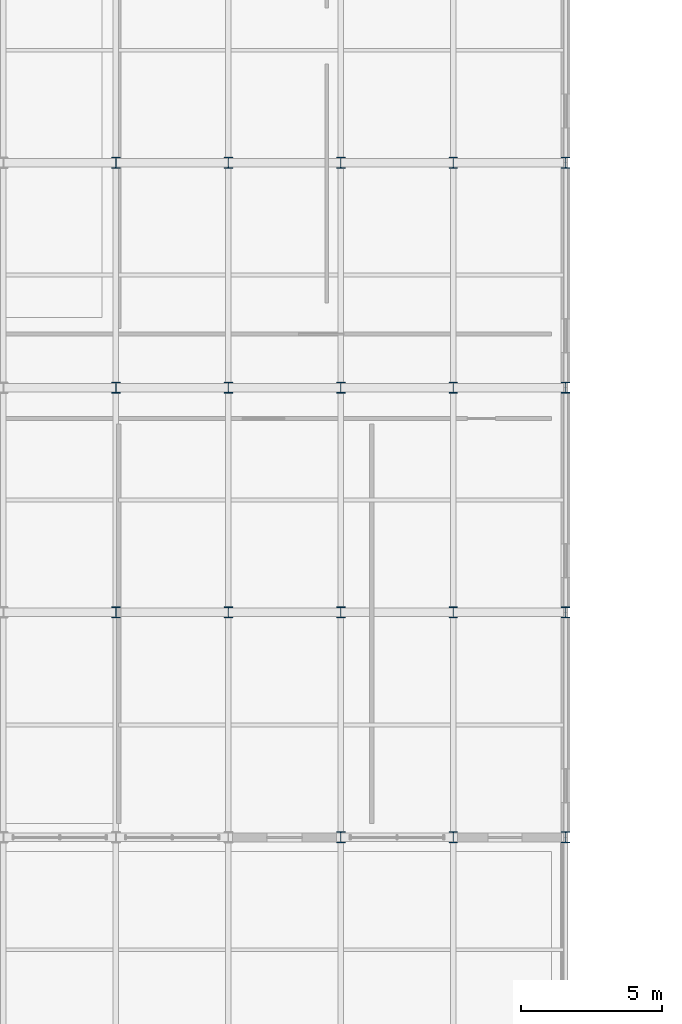
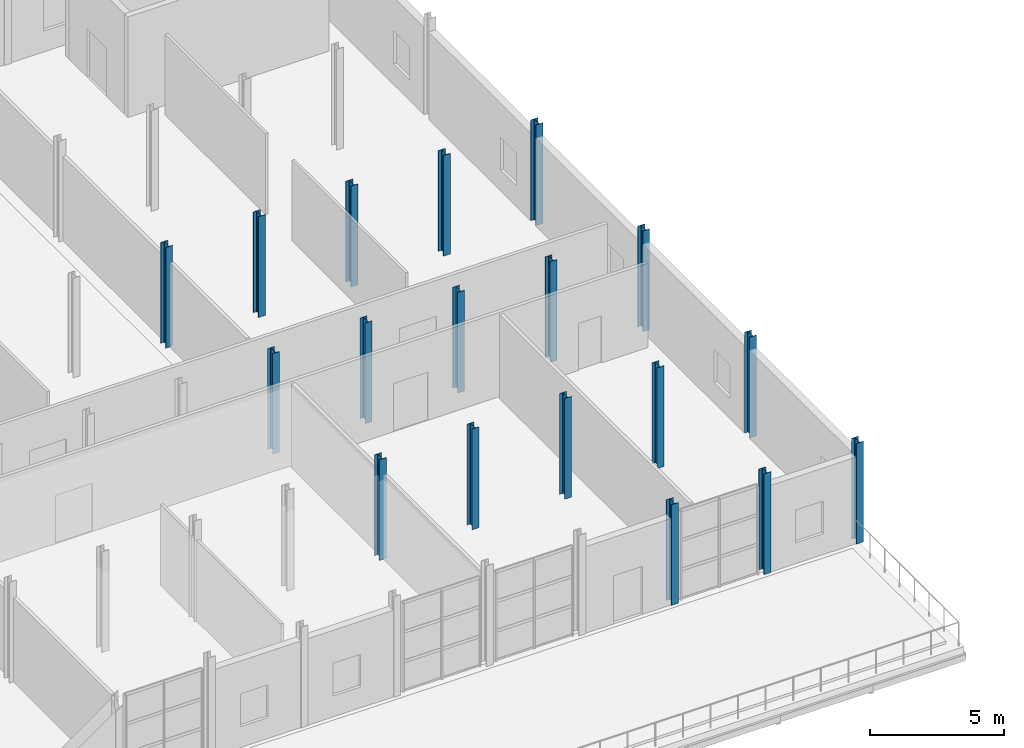
# One storey, part 7 of 67: 18 columns.
"""IFC4 building model written with IfcOpenShell, lengths in metres."""

from ifc_helpers import new_model, si_unit, derived_unit, direction, frame, origin, origin_2d, place, context, subcontext, project, spatial, i_section, extrude, material, material_profile, profile_set, type_object, element, save


model = new_model("IFC4")

# Units and contexts
model_context = context("Model", 3, precision=1e-05, world=origin(), true_north=direction((0.0, 1.0)))
body_context = subcontext(model_context, "Body", "Model", "MODEL_VIEW")
ifc_project = project(units=[si_unit("LENGTHUNIT", "METRE"), si_unit("AREAUNIT", "SQUARE_METRE"), si_unit("VOLUMEUNIT", "CUBIC_METRE"), si_unit("PLANEANGLEUNIT", "RADIAN"), si_unit("MASSUNIT", "GRAM", prefix="KILO"), derived_unit("THERMALTRANSMITTANCEUNIT", [(si_unit("POWERUNIT", "WATT"), 1), (si_unit("LENGTHUNIT", "METRE"), -2), (si_unit("THERMODYNAMICTEMPERATUREUNIT", "KELVIN"), -1)])], contexts=[model_context])

# Site, building, storey
site_placement = place(None, origin())
site = spatial("IfcSite", under=ifc_project, at=site_placement, CompositionType="ELEMENT")
building_placement = place(site_placement, origin())
building = spatial("IfcBuilding", under=site, at=building_placement, Name="Keldorne Ridge Multi-Sports Centre", CompositionType="ELEMENT")
storey_placement = place(building_placement, frame((0.0, 0.0, 14.0)))
storey = spatial("IfcBuildingStorey", under=building, at=storey_placement, Name="L03", CompositionType="ELEMENT", Elevation=14.0)

# Columns
ifc_material = material(Name="Steel S355", Category="steel")
ifc_material_profile = material_profile(ifc_material, i_section(OverallWidth=0.300048828125, OverallDepth=0.389892578125, WebThickness=0.010986328125, FlangeThickness=0.01904296875, FilletRadius=0.027099609375, at=origin_2d()), Name="HEA 400")
ifc_profile_set = profile_set([ifc_material_profile], Name="Steel S355")
column_type = type_object("IfcColumnType", Name="COL-C-15", PredefinedType="COLUMN", material=ifc_profile_set)
for number, where, z_axis, x_axis, name in (
    (1, (136.0, 82.0, 0.0), (0.0, 0.0, 1.0), (1.0, 0.0, 0.0), "Structural column V5-C-07-03 on L03"),
    (2, (136.0, 90.0, 0.0), (0.0, 0.0, 1.0), (1.0, 0.0, 0.0), "Structural column V5-C-07-04 on L03"),
    (3, (136.0, 98.0, 0.0), (0.0, 0.0, 1.0), (1.0, 0.0, 0.0), "Structural column V5-C-07-05 on L03"),
    (4, (140.0, 82.0, 0.0), (0.0, 0.0, 1.0), (1.0, 0.0, 0.0), "Structural column V5-C-08-03 on L03"),
    (5, (140.0, 90.0, 0.0), (0.0, 0.0, 1.0), (1.0, 0.0, 0.0), "Structural column V5-C-08-04 on L03"),
    (6, (140.0, 98.0, 0.0), (0.0, 0.0, 1.0), (1.0, 0.0, 0.0), "Structural column V5-C-08-05 on L03"),
    (7, (144.0, 74.0, 0.0), (0.0, 0.0, 1.0), (1.0, 0.0, 0.0), "Structural column V5-C-09-02 on L03"),
    (8, (144.0, 82.0, 0.0), (0.0, 0.0, 1.0), (1.0, 0.0, 0.0), "Structural column V5-C-09-03 on L03"),
    (9, (144.0, 90.0, 0.0), (0.0, 0.0, 1.0), (1.0, 0.0, 0.0), "Structural column V5-C-09-04 on L03"),
    (10, (144.0, 98.0, 0.0), (0.0, 0.0, 1.0), (1.0, 0.0, 0.0), "Structural column V5-C-09-05 on L03"),
    (11, (148.0, 74.0, 0.0), (0.0, 0.0, 1.0), (1.0, 0.0, 0.0), "Structural column V5-C-10-02 on L03"),
    (12, (148.0, 82.0, 0.0), (0.0, 0.0, 1.0), (1.0, 0.0, 0.0), "Structural column V5-C-10-03 on L03"),
    (13, (148.0, 90.0, 0.0), (0.0, 0.0, 1.0), (1.0, 0.0, 0.0), "Structural column V5-C-10-04 on L03"),
    (14, (148.0, 98.0, 0.0), (0.0, 0.0, 1.0), (1.0, 0.0, 0.0), "Structural column V5-C-10-05 on L03"),
    (15, (152.0, 74.0, 0.0), (0.0, 0.0, 1.0), (1.0, 0.0, 0.0), "Structural column V5-C-11-02 on L03"),
    (16, (152.0, 82.0, 0.0), (0.0, 0.0, 1.0), (1.0, 0.0, 0.0), "Structural column V5-C-11-03 on L03"),
    (17, (152.0, 90.0, 0.0), (0.0, 0.0, 1.0), (1.0, 0.0, 0.0), "Structural column V5-C-11-04 on L03"),
    (18, (152.0, 98.0, 0.0), (0.0, 0.0, 1.0), (1.0, 0.0, 0.0), "Structural column V5-C-11-05 on L03"),
):
    element("IfcColumn", number, at=place(storey_placement, frame(where, z_axis=z_axis, x_axis=x_axis)), inside=storey, type_object=column_type, Name=name, PredefinedType="COLUMN", context=body_context, shape_type="SweptSolid", body=[
        extrude(i_section(OverallWidth=0.300048828125, OverallDepth=0.389892578125, WebThickness=0.010986328125, FlangeThickness=0.01904296875, FilletRadius=0.027099609375, at=origin_2d()), origin(), (0.0, 0.0, 1.0), 4.60009765625),
    ])

save(model, "model.ifc")
